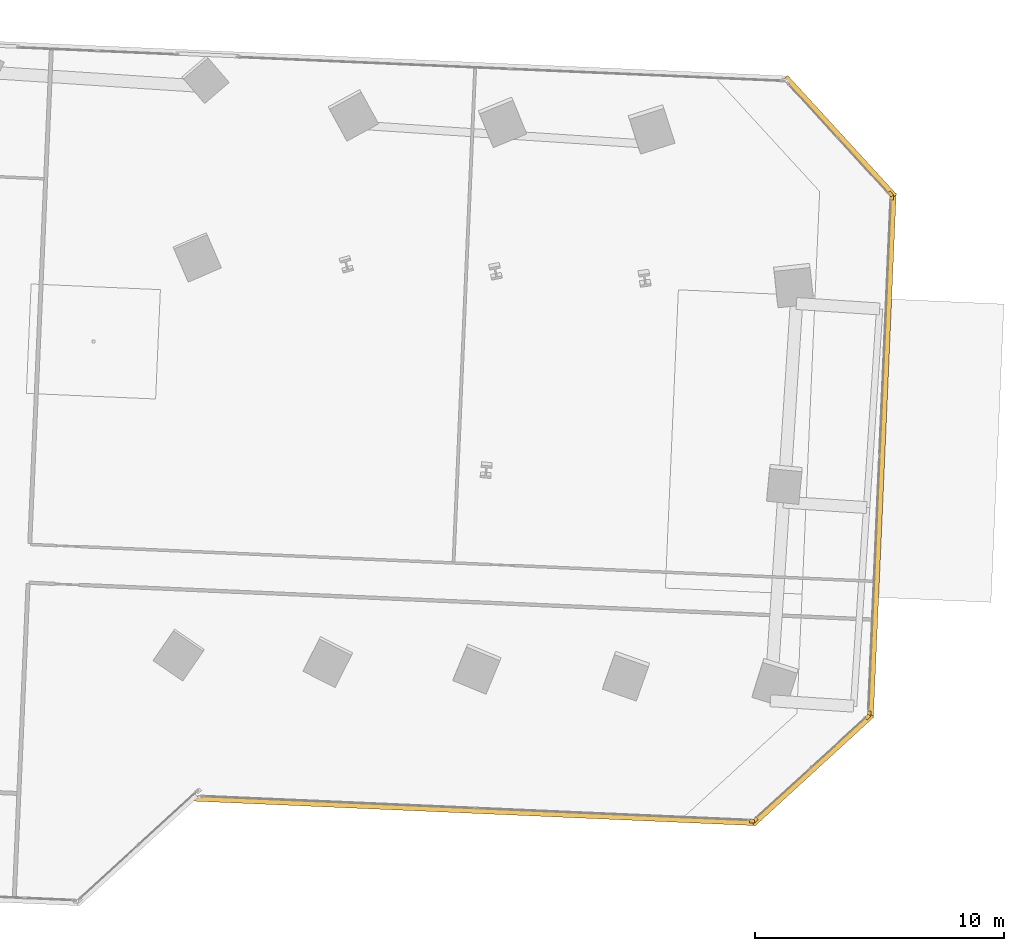
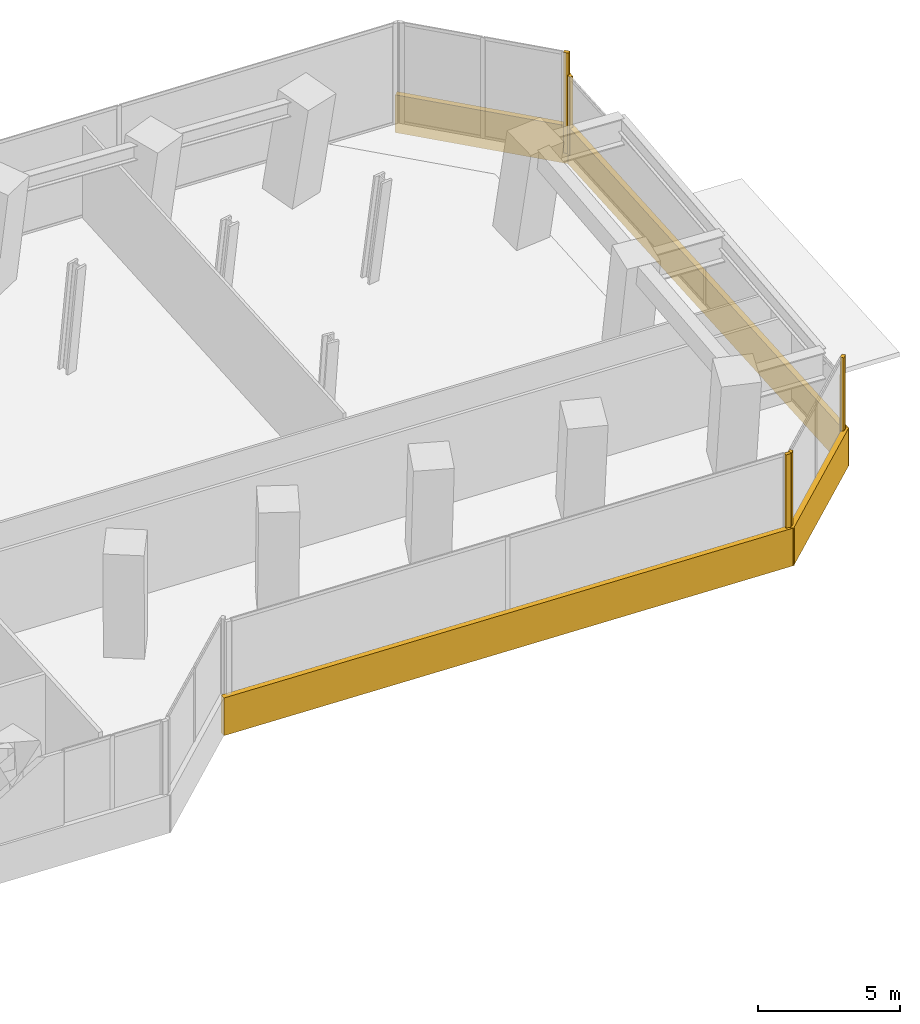
# One storey, part 26 of 27: 10 coverings.
"""IFC4 building model written with IfcOpenShell, lengths in metres."""

from ifc_helpers import new_model, si_unit, direction, frame, origin, origin_2d, place, context, subcontext, project, spatial, rectangle, extrude, source, transform, mapped, material, layer, layer_set, type_object, element, save


model = new_model("IFC4")

# Units and contexts
model_context = context("Model", 3, precision=1e-05, world=origin(), true_north=direction((0.0, 1.0)))
body_context = subcontext(model_context, "Body", "Model", "MODEL_VIEW")
ifc_project = project(units=[si_unit("LENGTHUNIT", "METRE"), si_unit("AREAUNIT", "SQUARE_METRE"), si_unit("VOLUMEUNIT", "CUBIC_METRE"), si_unit("PLANEANGLEUNIT", "RADIAN"), si_unit("MASSUNIT", "GRAM", prefix="KILO")], contexts=[model_context])

# Site, building, storey
site_placement = place(None, origin())
site = spatial("IfcSite", under=ifc_project, at=site_placement, CompositionType="ELEMENT")
building_placement = place(site_placement, origin())
building = spatial("IfcBuilding", under=site, at=building_placement, Name="Torre Montelarca", CompositionType="ELEMENT")
storey_placement = place(building_placement, frame((0.0, 0.0, 37.60009765625)))
storey = spatial("IfcBuildingStorey", under=building, at=storey_placement, Name="L08", CompositionType="ELEMENT", Elevation=37.60009765625)

# Coverings
ifc_material = material(Name="Bush-hammered warm white precast concrete C45/55", Category="concrete")
ifc_layer = layer(ifc_material, 0.139892578125, Name="Bush-hammered warm white precast concrete C45/55", Category="concrete")
ifc_layer_set = layer_set([ifc_layer], Name="Bush-hammered warm white precast concrete C45/55")
covering_type = type_object("IfcCoveringType", Name="COV-TRAY-CLAD", PredefinedType="CLADDING", material=ifc_layer_set)
shared_shape_1 = source(origin(), body_context, "Body", "SweptSolid", [
    extrude(rectangle(XDim=0.199951171875, YDim=0.139892578125, at=origin_2d()), origin(), (0.0, 0.0, 1.0), 4.320068359375),
])
for number, where, z_axis, x_axis, name in (
    (1, (58.650146484375, 16.65478515625, 0.0), (0.0, 0.0, 1.0), (0.99904814545, -0.043621131033, 0.0), "L08 Architectural Column Pier Cladding E04-2"),
    (2, (58.78662109375, 16.70458984375, 0.0), (0.0, 0.0, 1.0), (0.737280874182, 0.675586347231, 0.0), "L08 Architectural Column Pier Cladding E05-1"),
    (3, (63.307861328125, 20.847412109375, 0.0), (0.0, 0.0, 1.0), (0.737280874182, 0.675586347231, 0.0), "L08 Architectural Column Pier Cladding E05-2"),
    (4, (64.225341796875, 41.864013671875, 0.0), (0.0, 0.0, 1.0), (-0.675586347231, 0.737280874182, 0.0), "L08 Architectural Column Pier Cladding E07-1"),
):
    element("IfcCovering", number, at=place(storey_placement, frame(where, z_axis=z_axis, x_axis=x_axis)), inside=storey, type_object=covering_type, Name=name, PredefinedType="CLADDING", context=body_context, shape_type="MappedRepresentation", body=[
        mapped(shared_shape_1, transform((0.0, 0.0, 0.0), scale=1.0)),
    ])
shared_shape_2 = source(origin(), body_context, "Body", "SweptSolid", [
    extrude(rectangle(XDim=6.48388671875, YDim=0.219970703125, at=origin_2d()), origin(), (0.0, 0.0, 1.0), 1.6201171875),
])
for number, where, z_axis, x_axis, name in (
    (5, (61.087646484375, 18.731689453125, -0.4501953125), (0.0, 0.0, 1.0), (0.73727969506, 0.675587634028, 0.0), "L08 Architectural White Spandrel Tray Band TRYBOT-05"),
    (6, (62.1982421875, 44.1650390625, -0.4501953125), (0.0, 0.0, 1.0), (-0.675587634028, 0.73727969506, 0.0), "L08 Architectural White Spandrel Tray Band TRYBOT-07"),
):
    element("IfcCovering", number, at=place(storey_placement, frame(where, z_axis=z_axis, x_axis=x_axis)), inside=storey, type_object=covering_type, Name=name, PredefinedType="CLADDING", context=body_context, shape_type="MappedRepresentation", body=[
        mapped(shared_shape_2, transform((0.0, 0.0, 0.0), scale=1.0)),
    ])
shared_shape_3 = source(origin(), body_context, "Body", "SweptSolid", [
    extrude(rectangle(XDim=22.6201171875, YDim=0.219970703125, at=origin_2d()), origin(), (0.0, 0.0, 1.0), 1.6201171875),
])
covering_1_placement = place(storey_placement, frame((47.52392578125, 17.080810546875, -0.4501953125), z_axis=(0.0, 0.0, 1.0), x_axis=(0.999048297711, -0.043617643697, 0.0)))
element("IfcCovering", 7, at=covering_1_placement, inside=storey, type_object=covering_type, Name="L08 Architectural White Spandrel Tray Band TRYBOT-04", PredefinedType="CLADDING", context=body_context, shape_type="MappedRepresentation", body=[
    mapped(shared_shape_3, transform((0.0, 0.0, 0.0), scale=1.0)),
])
shared_shape_4 = source(origin(), body_context, "Body", "SweptSolid", [
    extrude(rectangle(XDim=0.199951171875, YDim=0.139892578125, at=origin_2d()), origin(), (0.0, 0.0, 1.0), 3.375),
])
for number, where, z_axis, x_axis, name in (
    (8, (63.369140625, 20.97900390625, 0.0), (0.0, 0.0, 1.0), (0.043621131033, 0.99904814545, 0.0), "L08 Architectural Column Pier Cladding E06-1"),
    (9, (64.275146484375, 41.7275390625, 0.0), (0.0, 0.0, 1.0), (0.043621131033, 0.99904814545, 0.0), "L08 Architectural Column Pier Cladding E06-2"),
):
    element("IfcCovering", number, at=place(storey_placement, frame(where, z_axis=z_axis, x_axis=x_axis)), inside=storey, type_object=covering_type, Name=name, PredefinedType="CLADDING", context=body_context, shape_type="MappedRepresentation", body=[
        mapped(shared_shape_4, transform((0.0, 0.0, 0.0), scale=1.0)),
    ])
shared_shape_5 = source(origin(), body_context, "Body", "SweptSolid", [
    extrude(rectangle(XDim=21.1201171875, YDim=0.219970703125, at=origin_2d()), origin(), (0.0, 0.0, 1.0), 1.6201171875),
])
covering_2_placement = place(storey_placement, frame((63.882080078125, 31.3505859375, -0.4501953125), z_axis=(0.0, 0.0, 1.0), x_axis=(0.043619387365, 0.999048221582, 0.0)))
element("IfcCovering", 10, at=covering_2_placement, inside=storey, type_object=covering_type, Name="L08 Architectural White Spandrel Tray Band TRYBOT-06", PredefinedType="CLADDING", context=body_context, shape_type="MappedRepresentation", body=[
    mapped(shared_shape_5, transform((0.0, 0.0, 0.0), scale=1.0)),
])

save(model, "model.ifc")
